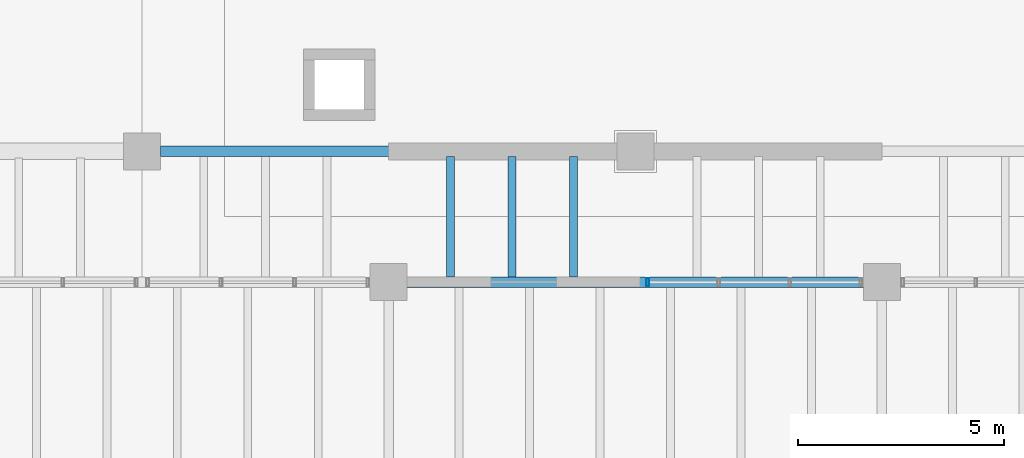
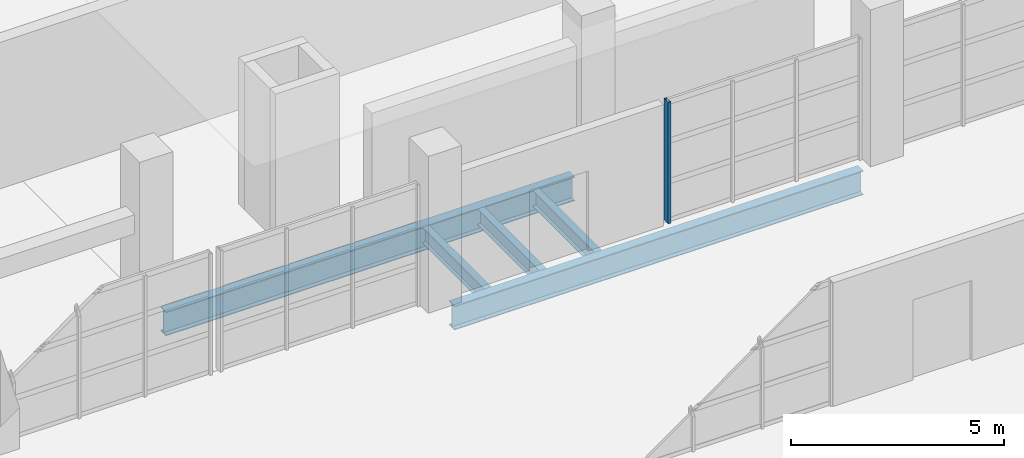
# One storey, part 57 of 114: 5 beams, 1 member, 1 element without a shape of its own.
"""IFC4 building model written with IfcOpenShell, lengths in metres."""

from ifc_helpers import new_model, si_unit, direction, frame, origin, origin_2d, place, context, subcontext, project, spatial, hollow_rectangle, i_section, extrude, material, material_profile, profile_set, type_object, element, aggregate, save


model = new_model("IFC4")

# Units and contexts
model_context = context("Model", 3, precision=1e-05, world=origin(), true_north=direction((0.0, 1.0)))
body_context = subcontext(model_context, "Body", "Model", "MODEL_VIEW")
ifc_project = project(units=[si_unit("LENGTHUNIT", "METRE"), si_unit("AREAUNIT", "SQUARE_METRE"), si_unit("VOLUMEUNIT", "CUBIC_METRE"), si_unit("PLANEANGLEUNIT", "RADIAN"), si_unit("MASSUNIT", "GRAM", prefix="KILO")], contexts=[model_context])

# Site, building, storey
site_placement = place(None, origin())
site = spatial("IfcSite", under=ifc_project, at=site_placement, CompositionType="ELEMENT")
building_placement = place(site_placement, origin())
building = spatial("IfcBuilding", under=site, at=building_placement, Name="Kelmvaro Bay Concert Hall", CompositionType="ELEMENT")
storey_placement = place(building_placement, frame((0.0, 0.0, 4.800048828125)))
storey = spatial("IfcBuildingStorey", under=building, at=storey_placement, Name="L01", CompositionType="ELEMENT", Elevation=4.800048828125)

# Beams
ifc_material_1 = material(Name="Steel ASTM A992 Grade 50", Category="steel")
ifc_material_profile_1 = material_profile(ifc_material_1, i_section(OverallWidth=0.256103515625, OverallDepth=0.693115234375, WebThickness=0.014404296875, FlangeThickness=0.023681640625, at=origin_2d()), Name="W27X114")
ifc_profile_set_1 = profile_set([ifc_material_profile_1], Name="Steel ASTM A992 Grade 50")
beam_type_1 = type_object("IfcBeamType", Name="Foyer Primary Girder W27x114", PredefinedType="BEAM", material=ifc_profile_set_1)
for number, where, z_axis, x_axis, name in (
    (1, (24.449951171875, 65.39990234375, -0.646484375), (1.0, 0.0, 0.0), (0.0, 1.0, 0.0), "L01 Girder BM-L01-EW-0074"),
    (2, (18.449951171875, 68.580078125, -0.646484375), (1.0, 0.0, 0.0), (0.0, 1.0, 0.0), "L01 Girder BM-L01-EW-0082"),
):
    element("IfcBeam", number, at=place(storey_placement, frame(where, z_axis=z_axis, x_axis=x_axis)), inside=storey, type_object=beam_type_1, Name=name, PredefinedType="BEAM", context=body_context, shape_type="SweptSolid", body=[
        extrude(i_section(OverallWidth=0.256103515625, OverallDepth=0.693115234375, WebThickness=0.014404296875, FlangeThickness=0.023681640625, at=origin_2d()), origin(), (0.0, 0.0, 1.0), 11.10009765625),
    ])
ifc_material_2 = material(Name="Steel ASTM A992 Grade 50", Category="steel")
ifc_material_profile_2 = material_profile(ifc_material_2, i_section(OverallWidth=0.19091796875, OverallDepth=0.45703125, WebThickness=0.009033203125, FlangeThickness=0.014404296875, at=origin_2d()), Name="W18X50")
ifc_profile_set_2 = profile_set([ifc_material_profile_2], Name="Steel ASTM A992 Grade 50")
beam_type_2 = type_object("IfcBeamType", Name="Standard Composite Floor Joist W18x50", PredefinedType="JOIST", material=ifc_profile_set_2)
for number, where, z_axis, x_axis, name in (
    (3, (25.5, 65.528076171875, -0.528564453125), (0.0, 1.0, 0.0), (-1.0, 0.0, 0.0), "L01 Floor Joist JST-L01-0556"),
    (4, (27.0, 65.528076171875, -0.528564453125), (0.0, 1.0, 0.0), (-1.0, 0.0, 0.0), "L01 Floor Joist JST-L01-0557"),
    (5, (28.5, 65.528076171875, -0.528564453125), (0.0, 1.0, 0.0), (-1.0, 0.0, 0.0), "L01 Floor Joist JST-L01-0558"),
):
    element("IfcBeam", number, at=place(storey_placement, frame(where, z_axis=z_axis, x_axis=x_axis)), inside=storey, type_object=beam_type_2, Name=name, PredefinedType="JOIST", context=body_context, shape_type="SweptSolid", body=[
        extrude(i_section(OverallWidth=0.19091796875, OverallDepth=0.45703125, WebThickness=0.009033203125, FlangeThickness=0.014404296875, at=origin_2d()), origin(), (0.0, 0.0, 1.0), 2.923828125),
    ])

# Curtain wall, member
ifc_material_3 = material(Name="Anodised Aluminium and Low-E Insulated Glazing", Category="aluminium")
curtain_wall_type = type_object("IfcCurtainWallType", Name="Symphony South Gallery Curtain Wall 3920", PredefinedType="USERDEFINED", material=ifc_material_3)
curtain_wall_placement = place(storey_placement, origin())
curtain_wall = element("IfcCurtainWall", 6, at=curtain_wall_placement, inside=storey, type_object=curtain_wall_type, Name="Unitised Curtain Wall CW-L01-005", ObjectType="UNITISED GLAZING", PredefinedType="USERDEFINED")
ifc_material_4 = material(Name="Anodised Extruded Aluminium 6063-T6", Category="aluminium")
ifc_material_profile_3 = material_profile(ifc_material_4, hollow_rectangle(XDim=0.070068359375, YDim=0.199951171875, WallThickness=0.00439453125, at=origin_2d()), Name="ALU-MUL-200X70")
ifc_profile_set_3 = profile_set([ifc_material_profile_3], Name="Anodised Extruded Aluminium 6063-T6")
member_type = type_object("IfcMemberType", Name="Waterfront Mullion ALU 200x70", PredefinedType="MULLION", material=ifc_profile_set_3)
member_placement = place(storey_placement, frame((30.300048828125, 65.39990234375, 0.0), z_axis=(0.0, 0.0, 1.0), x_axis=(1.0, 0.0, 0.0)))
member = element("IfcMember", 7, at=member_placement, type_object=member_type, Name="CW-L01-005 Mullion 04", PredefinedType="MULLION", context=body_context, shape_type="SweptSolid", body=[
    extrude(hollow_rectangle(XDim=0.070068359375, YDim=0.199951171875, WallThickness=0.00439453125, at=origin_2d()), origin(), (0.0, 0.0, 1.0), 3.487060546875),
])
aggregate(curtain_wall, [member])

save(model, "model.ifc")
